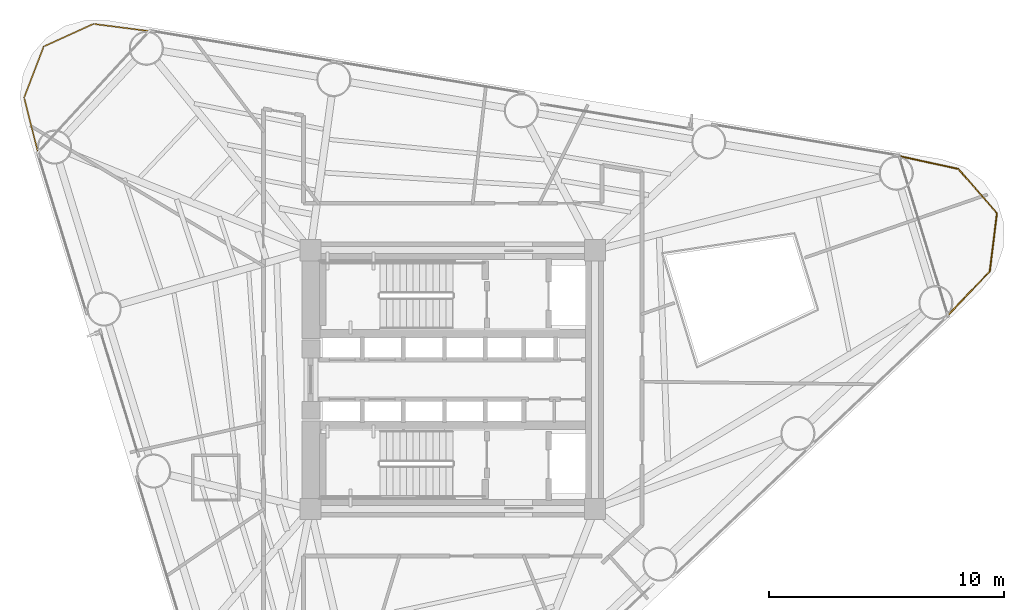
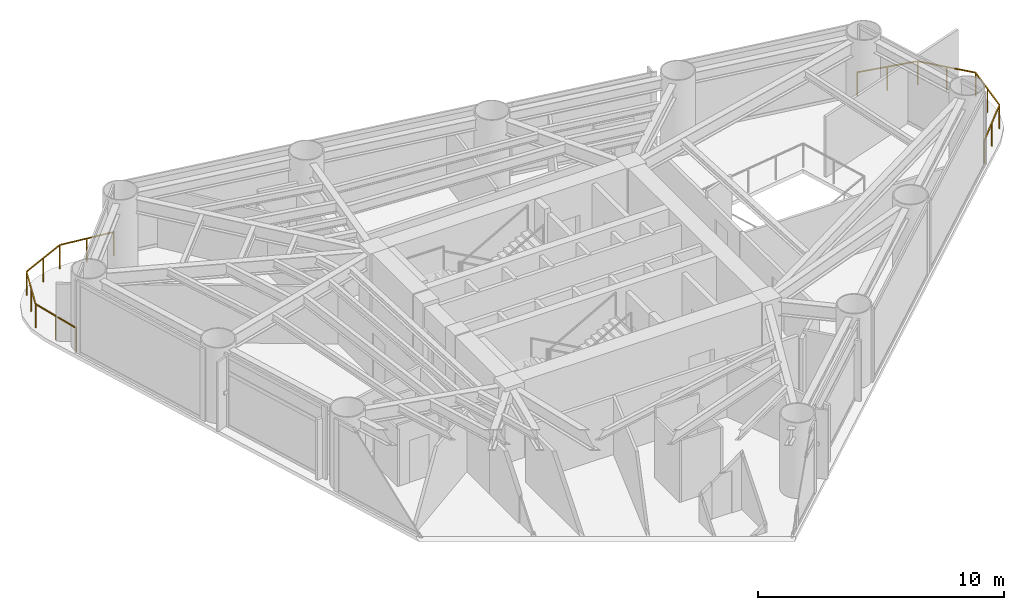
# One storey, part 10 of 10: 2 railings.
"""IFC4 building model written with IfcOpenShell, lengths in metres."""

from ifc_helpers import new_model, si_unit, direction, frame, origin, origin_2d, place, context, subcontext, project, spatial, rectangle, extrude, material, type_object, element, save


model = new_model("IFC4")

# Units and contexts
model_context = context("Model", 3, precision=1e-05, world=origin(), true_north=direction((0.0, 1.0)))
body_context = subcontext(model_context, "Body", "Model", "MODEL_VIEW")
ifc_project = project(units=[si_unit("LENGTHUNIT", "METRE"), si_unit("AREAUNIT", "SQUARE_METRE"), si_unit("VOLUMEUNIT", "CUBIC_METRE"), si_unit("PLANEANGLEUNIT", "RADIAN"), si_unit("MASSUNIT", "GRAM", prefix="KILO")], contexts=[model_context])

# Site, building, storey
site_placement = place(None, origin())
site = spatial("IfcSite", under=ifc_project, at=site_placement, CompositionType="ELEMENT")
building_placement = place(site_placement, origin())
building = spatial("IfcBuilding", under=site, at=building_placement, Name="Yunling Apex Tower", CompositionType="ELEMENT")
storey_placement = place(building_placement, frame((0.0, 0.0, 97.39990234375)))
storey = spatial("IfcBuildingStorey", under=building, at=storey_placement, Name="L24", CompositionType="ELEMENT", Elevation=97.39990234375)

# Railings
ifc_material = material(Name="Bronze anodised aluminium", Category="aluminium")
railing_type = type_object("IfcRailingType", Name="RL-BAL-1200", PredefinedType="BALUSTRADE", material=ifc_material)
railing_1_placement = place(storey_placement, frame((18.976806640625, 9.5029296875, 0.0)))
element("IfcRailing", 1, at=railing_1_placement, inside=storey, type_object=railing_type, Name="RL-CRNSILL-L24-1", PredefinedType="BALUSTRADE", context=body_context, shape_type="SweptSolid", body=[
    extrude(rectangle(XDim=0.0439453125, YDim=0.0439453125, at=origin_2d()), origin(), (0.0, 0.0, 1.0), 1.199951171875),
    extrude(rectangle(XDim=0.0439453125, YDim=0.0439453125, at=origin_2d()), frame((2.5205078125, -0.54833984375, 0.0)), (0.0, 0.0, 1.0), 1.199951171875),
    extrude(rectangle(XDim=0.050048828125, YDim=0.050048828125, at=origin_2d()), frame((0.037353515625, -0.008056640625, 1.1748046875), z_axis=(0.977143892078, -0.212578959861, 0.0), x_axis=(0.212578959861, 0.977143892078, 0.0)), (0.0, 0.0, 1.0), 2.502685546875),
    extrude(rectangle(XDim=0.0439453125, YDim=0.0439453125, at=origin_2d()), frame((1.26025390625, -0.274169921875, 0.0)), (0.0, 0.0, 1.0), 1.14599609375),
    extrude(rectangle(XDim=0.0439453125, YDim=0.0439453125, at=origin_2d()), frame((4.156005859375, -2.430419921875, 0.0)), (0.0, 0.0, 1.0), 1.199951171875),
    extrude(rectangle(XDim=0.050048828125, YDim=0.050048828125, at=origin_2d()), frame((2.545654296875, -0.577392578125, 1.1748046875), z_axis=(0.655928991852, -0.754822600117, 0.0), x_axis=(0.754822600117, 0.655928991852, 0.0)), (0.0, 0.0, 1.0), 2.416748046875),
    extrude(rectangle(XDim=0.0439453125, YDim=0.0439453125, at=origin_2d()), frame((3.33837890625, -1.4892578125, 0.0)), (0.0, 0.0, 1.0), 1.14599609375),
    extrude(rectangle(XDim=0.0439453125, YDim=0.0439453125, at=origin_2d()), frame((3.8525390625, -4.905517578125, 0.0)), (0.0, 0.0, 1.0), 1.199951171875),
    extrude(rectangle(XDim=0.050048828125, YDim=0.050048828125, at=origin_2d()), frame((4.1513671875, -2.468505859375, 1.1748046875), z_axis=(-0.121696705052, -0.992567333726, 0.0), x_axis=(0.992567333726, -0.121696705052, 0.0)), (0.0, 0.0, 1.0), 2.4169921875),
    extrude(rectangle(XDim=0.0439453125, YDim=0.0439453125, at=origin_2d()), frame((4.00439453125, -3.66796875, 0.0)), (0.0, 0.0, 1.0), 1.14599609375),
    extrude(rectangle(XDim=0.0439453125, YDim=0.0439453125, at=origin_2d()), frame((2.06982421875, -6.76953125, 0.0)), (0.0, 0.0, 1.0), 1.199951171875),
    extrude(rectangle(XDim=0.050048828125, YDim=0.050048828125, at=origin_2d()), frame((3.825927734375, -4.93310546875, 1.1748046875), z_axis=(-0.691171065155, -0.722691191791, 0.0), x_axis=(0.722691191791, -0.691171065155, 0.0)), (0.0, 0.0, 1.0), 2.502685546875),
    extrude(rectangle(XDim=0.0439453125, YDim=0.0439453125, at=origin_2d()), frame((2.961181640625, -5.83740234375, 0.0)), (0.0, 0.0, 1.0), 1.14599609375),
])
railing_2_placement = place(storey_placement, frame((-17.63525390625, 9.6669921875, 0.0)))
element("IfcRailing", 2, at=railing_2_placement, inside=storey, type_object=railing_type, Name="RL-CRNSILL-L24-2", PredefinedType="BALUSTRADE", context=body_context, shape_type="SweptSolid", body=[
    extrude(rectangle(XDim=0.0439453125, YDim=0.0439453125, at=origin_2d()), origin(), (0.0, 0.0, 1.0), 1.199951171875),
    extrude(rectangle(XDim=0.0439453125, YDim=0.0439453125, at=origin_2d()), frame((-0.58642578125, 2.31884765625, 0.0)), (0.0, 0.0, 1.0), 1.199951171875),
    extrude(rectangle(XDim=0.050048828125, YDim=0.050048828125, at=origin_2d()), frame((-0.00927734375, 0.037109375, 1.1748046875), z_axis=(-0.245176585422, 0.96947843811, 0.0), x_axis=(-0.96947843811, -0.245176585422, 0.0)), (0.0, 0.0, 1.0), 2.315185546875),
    extrude(rectangle(XDim=0.0439453125, YDim=0.0439453125, at=origin_2d()), frame((-0.293212890625, 1.159423828125, 0.0)), (0.0, 0.0, 1.0), 1.14599609375),
    extrude(rectangle(XDim=0.0439453125, YDim=0.0439453125, at=origin_2d()), frame((0.2470703125, 4.49267578125, 0.0)), (0.0, 0.0, 1.0), 1.199951171875),
    extrude(rectangle(XDim=0.050048828125, YDim=0.050048828125, at=origin_2d()), frame((-0.57275390625, 2.354736328125, 1.1748046875), z_axis=(0.358009154452, 0.933718075935, 0.0), x_axis=(-0.933718075935, 0.358009154452, 0.0)), (0.0, 0.0, 1.0), 2.25146484375),
    extrude(rectangle(XDim=0.0439453125, YDim=0.0439453125, at=origin_2d()), frame((-0.169677734375, 3.40576171875, 0.0)), (0.0, 0.0, 1.0), 1.14599609375),
    extrude(rectangle(XDim=0.0439453125, YDim=0.0439453125, at=origin_2d()), frame((2.359375, 5.453369140625, 0.0)), (0.0, 0.0, 1.0), 1.199951171875),
    extrude(rectangle(XDim=0.050048828125, YDim=0.050048828125, at=origin_2d()), frame((0.281982421875, 4.508544921875, 1.1748046875), z_axis=(0.910276378893, 0.4140011039, 0.0), x_axis=(-0.4140011039, 0.910276378893, 0.0)), (0.0, 0.0, 1.0), 2.243896484375),
    extrude(rectangle(XDim=0.0439453125, YDim=0.0439453125, at=origin_2d()), frame((1.30322265625, 4.97314453125, 0.0)), (0.0, 0.0, 1.0), 1.14599609375),
    extrude(rectangle(XDim=0.0439453125, YDim=0.0439453125, at=origin_2d()), frame((4.732666015625, 5.14794921875, 0.0)), (0.0, 0.0, 1.0), 1.199951171875),
    extrude(rectangle(XDim=0.050048828125, YDim=0.050048828125, at=origin_2d()), frame((2.3974609375, 5.448486328125, 1.1748046875), z_axis=(0.991820835982, -0.127637883532, 0.0), x_axis=(0.127637883532, 0.991820835982, 0.0)), (0.0, 0.0, 1.0), 2.316162109375),
    extrude(rectangle(XDim=0.0439453125, YDim=0.0439453125, at=origin_2d()), frame((3.5458984375, 5.30078125, 0.0)), (0.0, 0.0, 1.0), 1.14599609375),
])

save(model, "model.ifc")
